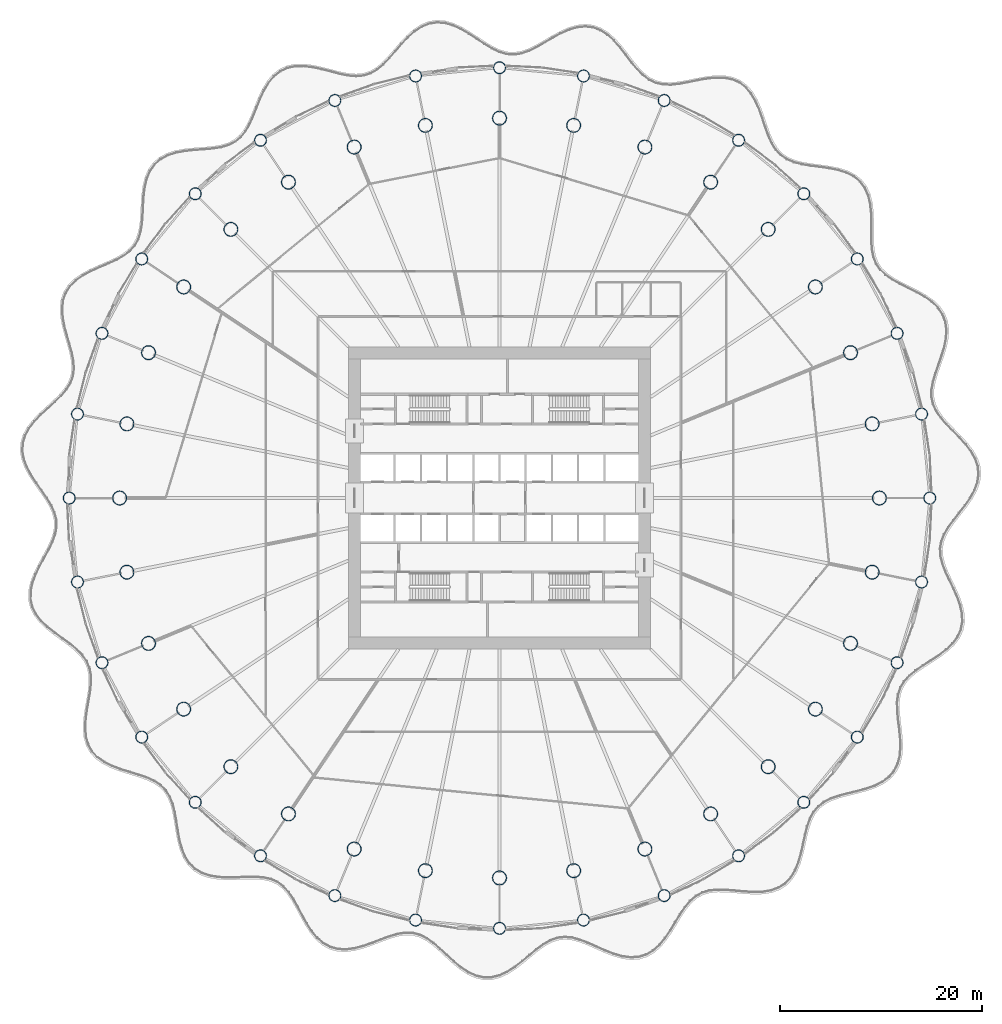
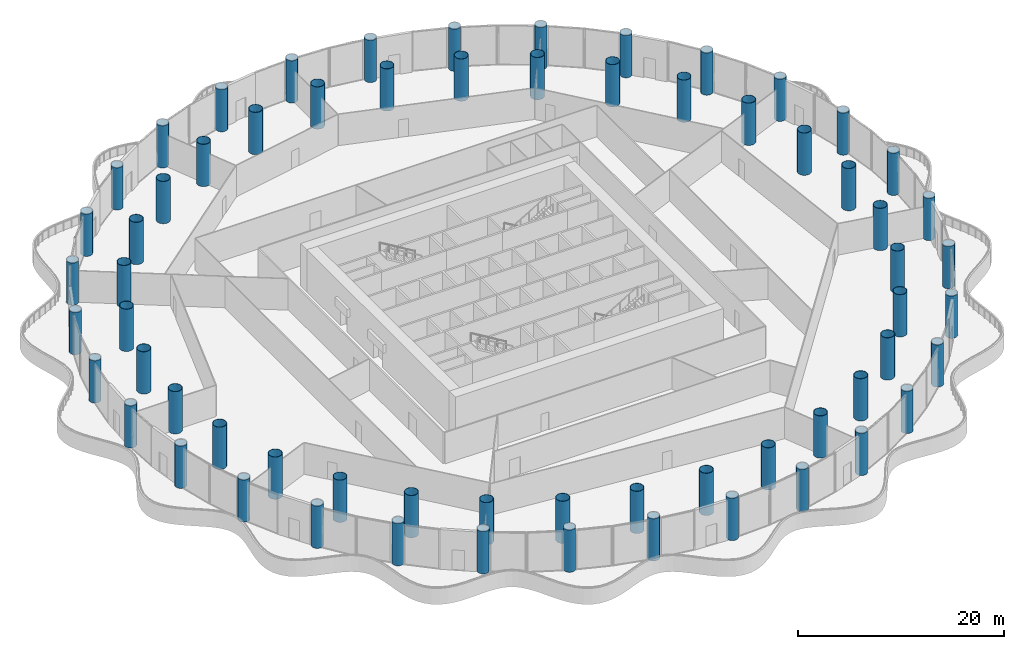
# One storey, part 1 of 38: 64 columns.
"""IFC4 building model written with IfcOpenShell, lengths in metres."""

import ifcopenshell
import ifcopenshell.guid

model = None  # the IFC model being written
_history = None  # IfcOwnerHistory: only IFC2X3 demands one
_inside = {}  # id of a spatial element -> (the spatial element, [elements in it])
_under = {}  # id of a project, library or spatial element -> (it, [spatial elements below it])
_declared = {}  # id of a project -> (the project, [libraries it declares])
_typed = {}  # id of a type object -> (the type object, [elements of that type])
_made_of = {}  # id of a material, layer set ... -> (it, [elements and type objects made of it])


def new_model(schema):
    """Start an empty IFC model of exactly this schema.

    Asked for "IFC4X3", IfcOpenShell would pick the latest addendum, in which some entities
    have other attributes; the version numbers below select the first issue.
    IFC2X3 requires an IfcOwnerHistory on every rooted entity: one is made here for all.
    """
    global model, _history
    if schema == "IFC4X3":
        model = ifcopenshell.file(schema_version=(4, 3, 0, 0))
    else:
        model = ifcopenshell.file(schema=schema)
    _inside.clear()
    _under.clear()
    _declared.clear()
    _typed.clear()
    _made_of.clear()
    _history = None
    if model.schema == "IFC2X3":
        org = make("IfcOrganization", Name="unknown")
        user = make(
            "IfcPersonAndOrganization",
            ThePerson=make("IfcPerson", FamilyName="unknown"),
            TheOrganization=org,
        )
        app = make(
            "IfcApplication",
            ApplicationDeveloper=org,
            Version="unknown",
            ApplicationFullName="unknown",
            ApplicationIdentifier="unknown",
        )
        _history = make(
            "IfcOwnerHistory",
            OwningUser=user,
            OwningApplication=app,
            ChangeAction="ADDED",
            CreationDate=0,
        )
    return model


def make(cls, **values):
    """One entity of the class cls with the attributes given. An attribute that is None is left unset."""
    return model.create_entity(
        cls, **{name: value for name, value in values.items() if value is not None}
    )


def rooted(cls, **values):
    """An entity with a GlobalId (a new one), such as an element, a storey or a relation."""
    return make(cls, GlobalId=ifcopenshell.guid.new(), OwnerHistory=_history, **values)


def si_unit(unit_type, name, prefix=None):
    """IfcSIUnit, for example si_unit("LENGTHUNIT", "METRE", prefix="MILLI")."""
    return make("IfcSIUnit", UnitType=unit_type, Prefix=prefix, Name=name)


def assignment(units):
    """IfcUnitAssignment: the units of a project."""
    return None if units is None else make("IfcUnitAssignment", Units=units)


def point(xyz):
    """IfcCartesianPoint."""
    return None if xyz is None else make("IfcCartesianPoint", Coordinates=xyz)


def direction(xyz):
    """IfcDirection."""
    return None if xyz is None else make("IfcDirection", DirectionRatios=xyz)


def frame(location, z_axis=None, x_axis=None):
    """IfcAxis2Placement3D, a coordinate frame: its origin and axes. An axis left out is left unset."""
    return make(
        "IfcAxis2Placement3D",
        Location=point(location),
        Axis=direction(z_axis),
        RefDirection=direction(x_axis),
    )


def frame_2d(location, x_axis=None):
    """IfcAxis2Placement2D, a coordinate frame in the plane: its origin and x axis."""
    return make(
        "IfcAxis2Placement2D", Location=point(location), RefDirection=direction(x_axis)
    )


def origin():
    """The frame at (0, 0, 0) with its axes left unset."""
    return frame((0.0, 0.0, 0.0))


def origin_2d():
    """The frame at (0, 0) in the plane with its x axis left unset."""
    return frame_2d((0.0, 0.0))


def place(relative_to, where):
    """IfcLocalPlacement: puts the frame where relative to a parent placement (None: the world)."""
    return make(
        "IfcLocalPlacement", PlacementRelTo=relative_to, RelativePlacement=where
    )


def context(
    kind, dimensions, precision=None, world=None, true_north=None, identifier=None
):
    """IfcGeometricRepresentationContext, for example the 3D "Model" context."""
    return make(
        "IfcGeometricRepresentationContext",
        ContextIdentifier=identifier,
        ContextType=kind,
        CoordinateSpaceDimension=dimensions,
        Precision=precision,
        WorldCoordinateSystem=world,
        TrueNorth=true_north,
    )


def subcontext(parent, identifier, kind, view, scale=None):
    """IfcGeometricRepresentationSubContext, for example "Body" below "Model"."""
    return make(
        "IfcGeometricRepresentationSubContext",
        ContextIdentifier=identifier,
        ContextType=kind,
        ParentContext=parent,
        TargetScale=scale,
        TargetView=view,
    )


def project(units=None, contexts=None):
    """IfcProject with its units and contexts."""
    return rooted(
        "IfcProject",
        Name="project",
        RepresentationContexts=contexts,
        UnitsInContext=assignment(units),
    )


def spatial(cls, under=None, at=None, **own):
    """A site, building, storey or space (cls), placed at a placement, below another one or the project."""
    s = rooted(cls, ObjectPlacement=at, **own)
    if under is not None:
        _under.setdefault(under.id(), (under, []))[1].append(s)
    return s


def profile(cls, at=None, kind="AREA", **sizes):
    """A parametric profile (cls). Its sizes go by their IFC names, for example OverallWidth=200.0."""
    return make(cls, ProfileType=kind, Position=at, **sizes)


def hollow_circle(**sizes):
    """IfcCircleHollowProfileDef."""
    return profile("IfcCircleHollowProfileDef", **sizes)


def extrude(swept, where, along, depth):
    """IfcExtrudedAreaSolid: the profile swept, set in the frame where, extruded along a direction by depth."""
    return make(
        "IfcExtrudedAreaSolid",
        SweptArea=swept,
        Position=where,
        ExtrudedDirection=direction(along),
        Depth=depth,
    )


def shape(context_of_items, identifier, shape_type, items):
    """IfcShapeRepresentation: the items that make up one representation, for example the "Body"."""
    return make(
        "IfcShapeRepresentation",
        ContextOfItems=context_of_items,
        RepresentationIdentifier=identifier,
        RepresentationType=shape_type,
        Items=items,
    )


def material(Name=None, Category=None):
    """IfcMaterial."""
    return make("IfcMaterial", Name=Name, Category=Category)


def material_profile(
    of_material, cross_section, Name=None, Category=None, Priority=None
):
    """IfcMaterialProfile: a cross section and its material."""
    return make(
        "IfcMaterialProfile",
        Name=Name,
        Material=of_material,
        Profile=cross_section,
        Priority=Priority,
        Category=Category,
    )


def profile_set(profiles, Name=None, composite=None):
    """IfcMaterialProfileSet."""
    return make(
        "IfcMaterialProfileSet",
        Name=Name,
        MaterialProfiles=profiles,
        CompositeProfile=composite,
    )


def made_of(thing, what):
    """Note that an element or type object is made of a material, layer set ...; save() writes the relation."""
    if what is not None:
        _made_of.setdefault(what.id(), (what, []))[1].append(thing)
    return thing


def type_object(cls, material=None, **own):
    """A type object (cls), such as IfcWallType, which elements share."""
    return made_of(rooted(cls, **own), material)


def element(
    cls,
    number,
    at=None,
    inside=None,
    cuts=None,
    type_object=None,
    material=None,
    context=None,
    identifier="Body",
    shape_type=None,
    held_by="IfcProductDefinitionShape",
    body=None,
    shapes=None,
    **own,
):
    """One element of the class cls, such as IfcWall. Its Tag is "e" and its number.

    at: its placement. inside: the storey or other place that contains it. cuts: it is an
    opening in that element (IfcRelVoidsElement). A single representation is given by context,
    identifier, shape_type and body (its items); several are given by shapes. held_by: the class
    of the entity that holds the representations. save() writes the other relations.
    """
    e = rooted(cls, Tag="e%d" % number, ObjectPlacement=at, **own)
    if body is not None:
        shapes = [shape(context, identifier, shape_type, body)]
    if shapes is not None:
        e.Representation = make(held_by, Representations=shapes)
    if inside is not None:
        _inside.setdefault(inside.id(), (inside, []))[1].append(e)
    if cuts is not None:
        rooted(
            "IfcRelVoidsElement", RelatingBuildingElement=cuts, RelatedOpeningElement=e
        )
    if type_object is not None:
        _typed.setdefault(type_object.id(), (type_object, []))[1].append(e)
    return made_of(e, material)


def aggregate(whole, parts):
    """IfcRelAggregates: a whole, such as a stair, and the parts it consists of."""
    return rooted("IfcRelAggregates", RelatingObject=whole, RelatedObjects=parts)


def save(model, path):
    """Write the relations noted so far, then the file.

    IfcRelAggregates (storeys below a building ...), IfcRelContainedInSpatialStructure (elements
    in a storey), IfcRelDefinesByType, IfcRelAssociatesMaterial and IfcRelDeclares: one each for
    every whole, place, type object, material and project.
    """
    for whole, parts in _under.values():
        aggregate(whole, parts)
    for where, things in _inside.values():
        rooted(
            "IfcRelContainedInSpatialStructure",
            RelatedElements=things,
            RelatingStructure=where,
        )
    for kind, things in _typed.values():
        rooted("IfcRelDefinesByType", RelatedObjects=things, RelatingType=kind)
    for what, things in _made_of.values():
        rooted("IfcRelAssociatesMaterial", RelatedObjects=things, RelatingMaterial=what)
    for by, libraries in _declared.values():
        rooted("IfcRelDeclares", RelatingContext=by, RelatedDefinitions=libraries)
    model.write(path)


model = new_model("IFC4")

# Units and contexts
model_context = context("Model", 3, precision=1e-05, world=origin(), true_north=direction((0.0, 1.0)))
body_context = subcontext(model_context, "Body", "Model", "MODEL_VIEW")
ifc_project = project(units=[si_unit("LENGTHUNIT", "METRE"), si_unit("AREAUNIT", "SQUARE_METRE"), si_unit("VOLUMEUNIT", "CUBIC_METRE"), si_unit("PLANEANGLEUNIT", "RADIAN"), si_unit("MASSUNIT", "GRAM", prefix="KILO")], contexts=[model_context])

# Site, building, storey
site_placement = place(None, origin())
site = spatial("IfcSite", under=ifc_project, at=site_placement, CompositionType="ELEMENT")
building_placement = place(site_placement, origin())
building = spatial("IfcBuilding", under=site, at=building_placement, Name="Corvane Civic Tower", CompositionType="ELEMENT")
storey_placement = place(building_placement, frame((0.0, 0.0, 32.0)))
storey = spatial("IfcBuildingStorey", under=building, at=storey_placement, Name="L06", CompositionType="ELEMENT", Elevation=32.0)

# Columns
ifc_material_1 = material(Name="Steel ASTM A572 Gr 50", Category="steel")
ifc_material_profile_1 = material_profile(ifc_material_1, hollow_circle(Radius=0.60009765625, WallThickness=0.035888671875, at=origin_2d()), Name="CHS1200X36")
ifc_profile_set_1 = profile_set([ifc_material_profile_1], Name="Steel ASTM A572 Gr 50")
column_type_1 = type_object("IfcColumnType", Name="COMPOSITE COLUMN CHS1200X36", PredefinedType="COLUMN", material=ifc_profile_set_1)
for number, where, z_axis, x_axis, name in (
    (1, (0.0, 42.699951171875, 0.0), (0.0, 0.0, 1.0), (1.0, 0.0, 0.0), "COL-L06-G01"),
    (2, (8.330322265625, 41.879638671875, 0.0), (0.0, 0.0, 1.0), (1.0, 0.0, 0.0), "COL-L06-G02"),
    (3, (16.340576171875, 39.44970703125, 0.0), (0.0, 0.0, 1.0), (1.0, 0.0, 0.0), "COL-L06-G03"),
    (4, (23.722900390625, 35.503662109375, 0.0), (0.0, 0.0, 1.0), (1.0, 0.0, 0.0), "COL-L06-G04"),
    (5, (30.193359375, 30.193359375, 0.0), (0.0, 0.0, 1.0), (1.0, 0.0, 0.0), "COL-L06-G05"),
    (6, (35.503662109375, 23.722900390625, 0.0), (0.0, 0.0, 1.0), (1.0, 0.0, 0.0), "COL-L06-G06"),
    (7, (39.44970703125, 16.340576171875, 0.0), (0.0, 0.0, 1.0), (1.0, 0.0, 0.0), "COL-L06-G07"),
    (8, (41.879638671875, 8.330322265625, 0.0), (0.0, 0.0, 1.0), (1.0, 0.0, 0.0), "COL-L06-G08"),
    (9, (42.699951171875, 0.0, 0.0), (0.0, 0.0, 1.0), (1.0, 0.0, 0.0), "COL-L06-G09"),
    (10, (41.879638671875, -8.330322265625, 0.0), (0.0, 0.0, 1.0), (1.0, 0.0, 0.0), "COL-L06-G10"),
    (11, (39.44970703125, -16.340576171875, 0.0), (0.0, 0.0, 1.0), (1.0, 0.0, 0.0), "COL-L06-G11"),
    (12, (35.503662109375, -23.722900390625, 0.0), (0.0, 0.0, 1.0), (1.0, 0.0, 0.0), "COL-L06-G12"),
    (13, (30.193359375, -30.193359375, 0.0), (0.0, 0.0, 1.0), (1.0, 0.0, 0.0), "COL-L06-G13"),
    (14, (23.722900390625, -35.503662109375, 0.0), (0.0, 0.0, 1.0), (1.0, 0.0, 0.0), "COL-L06-G14"),
    (15, (16.340576171875, -39.44970703125, 0.0), (0.0, 0.0, 1.0), (1.0, 0.0, 0.0), "COL-L06-G15"),
    (16, (8.330322265625, -41.879638671875, 0.0), (0.0, 0.0, 1.0), (1.0, 0.0, 0.0), "COL-L06-G16"),
    (17, (0.0, -42.699951171875, 0.0), (0.0, 0.0, 1.0), (1.0, 0.0, 0.0), "COL-L06-G17"),
    (18, (-8.330322265625, -41.879638671875, 0.0), (0.0, 0.0, 1.0), (1.0, 0.0, 0.0), "COL-L06-G18"),
    (19, (-16.340576171875, -39.44970703125, 0.0), (0.0, 0.0, 1.0), (1.0, 0.0, 0.0), "COL-L06-G19"),
    (20, (-23.722900390625, -35.503662109375, 0.0), (0.0, 0.0, 1.0), (1.0, 0.0, 0.0), "COL-L06-G20"),
    (21, (-30.193359375, -30.193359375, 0.0), (0.0, 0.0, 1.0), (1.0, 0.0, 0.0), "COL-L06-G21"),
    (22, (-35.503662109375, -23.722900390625, 0.0), (0.0, 0.0, 1.0), (1.0, 0.0, 0.0), "COL-L06-G22"),
    (23, (-39.44970703125, -16.340576171875, 0.0), (0.0, 0.0, 1.0), (1.0, 0.0, 0.0), "COL-L06-G23"),
    (24, (-41.879638671875, -8.330322265625, 0.0), (0.0, 0.0, 1.0), (1.0, 0.0, 0.0), "COL-L06-G24"),
    (25, (-42.699951171875, 0.0, 0.0), (0.0, 0.0, 1.0), (1.0, 0.0, 0.0), "COL-L06-G25"),
    (26, (-41.879638671875, 8.330322265625, 0.0), (0.0, 0.0, 1.0), (1.0, 0.0, 0.0), "COL-L06-G26"),
    (27, (-39.44970703125, 16.340576171875, 0.0), (0.0, 0.0, 1.0), (1.0, 0.0, 0.0), "COL-L06-G27"),
    (28, (-35.503662109375, 23.722900390625, 0.0), (0.0, 0.0, 1.0), (1.0, 0.0, 0.0), "COL-L06-G28"),
    (29, (-30.193359375, 30.193359375, 0.0), (0.0, 0.0, 1.0), (1.0, 0.0, 0.0), "COL-L06-G29"),
    (30, (-23.722900390625, 35.503662109375, 0.0), (0.0, 0.0, 1.0), (1.0, 0.0, 0.0), "COL-L06-G30"),
    (31, (-16.340576171875, 39.44970703125, 0.0), (0.0, 0.0, 1.0), (1.0, 0.0, 0.0), "COL-L06-G31"),
    (32, (-8.330322265625, 41.879638671875, 0.0), (0.0, 0.0, 1.0), (1.0, 0.0, 0.0), "COL-L06-G32"),
):
    element("IfcColumn", number, at=place(storey_placement, frame(where, z_axis=z_axis, x_axis=x_axis)), inside=storey, type_object=column_type_1, Name=name, PredefinedType="COLUMN", context=body_context, shape_type="SweptSolid", body=[
        extrude(hollow_circle(Radius=0.60009765625, WallThickness=0.035888671875, at=origin_2d()), origin(), (0.0, 0.0, 1.0), 5.0),
    ])
ifc_material_2 = material(Name="Steel ASTM A572 Gr 50", Category="steel")
ifc_material_profile_2 = material_profile(ifc_material_2, hollow_circle(Radius=0.699951171875, WallThickness=0.0400390625, at=origin_2d()), Name="CHS1400X40")
ifc_profile_set_2 = profile_set([ifc_material_profile_2], Name="Steel ASTM A572 Gr 50")
column_type_2 = type_object("IfcColumnType", Name="COMPOSITE COLUMN CHS1400X40", PredefinedType="COLUMN", material=ifc_profile_set_2)
for number, where, z_axis, x_axis, name in (
    (33, (0.0, 37.699951171875, 0.0), (0.0, 0.0, 1.0), (1.0, 0.0, 0.0), "COL-L06-A01"),
    (34, (7.35498046875, 36.9755859375, 0.0), (0.0, 0.0, 1.0), (1.0, 0.0, 0.0), "COL-L06-A02"),
    (35, (14.42724609375, 34.830322265625, 0.0), (0.0, 0.0, 1.0), (1.0, 0.0, 0.0), "COL-L06-A03"),
    (36, (20.945068359375, 31.346435546875, 0.0), (0.0, 0.0, 1.0), (1.0, 0.0, 0.0), "COL-L06-A04"),
    (37, (26.657958984375, 26.657958984375, 0.0), (0.0, 0.0, 1.0), (1.0, 0.0, 0.0), "COL-L06-A05"),
    (38, (31.346435546875, 20.945068359375, 0.0), (0.0, 0.0, 1.0), (1.0, 0.0, 0.0), "COL-L06-A06"),
    (39, (34.830322265625, 14.42724609375, 0.0), (0.0, 0.0, 1.0), (1.0, 0.0, 0.0), "COL-L06-A07"),
    (40, (36.9755859375, 7.35498046875, 0.0), (0.0, 0.0, 1.0), (1.0, 0.0, 0.0), "COL-L06-A08"),
    (41, (37.699951171875, 0.0, 0.0), (0.0, 0.0, 1.0), (1.0, 0.0, 0.0), "COL-L06-A09"),
    (42, (36.9755859375, -7.35498046875, 0.0), (0.0, 0.0, 1.0), (1.0, 0.0, 0.0), "COL-L06-A10"),
    (43, (34.830322265625, -14.42724609375, 0.0), (0.0, 0.0, 1.0), (1.0, 0.0, 0.0), "COL-L06-A11"),
    (44, (31.346435546875, -20.945068359375, 0.0), (0.0, 0.0, 1.0), (1.0, 0.0, 0.0), "COL-L06-A12"),
    (45, (26.657958984375, -26.657958984375, 0.0), (0.0, 0.0, 1.0), (1.0, 0.0, 0.0), "COL-L06-A13"),
    (46, (20.945068359375, -31.346435546875, 0.0), (0.0, 0.0, 1.0), (1.0, 0.0, 0.0), "COL-L06-A14"),
    (47, (14.42724609375, -34.830322265625, 0.0), (0.0, 0.0, 1.0), (1.0, 0.0, 0.0), "COL-L06-A15"),
    (48, (7.35498046875, -36.9755859375, 0.0), (0.0, 0.0, 1.0), (1.0, 0.0, 0.0), "COL-L06-A16"),
    (49, (0.0, -37.699951171875, 0.0), (0.0, 0.0, 1.0), (1.0, 0.0, 0.0), "COL-L06-A17"),
    (50, (-7.35498046875, -36.9755859375, 0.0), (0.0, 0.0, 1.0), (1.0, 0.0, 0.0), "COL-L06-A18"),
    (51, (-14.42724609375, -34.830322265625, 0.0), (0.0, 0.0, 1.0), (1.0, 0.0, 0.0), "COL-L06-A19"),
    (52, (-20.945068359375, -31.346435546875, 0.0), (0.0, 0.0, 1.0), (1.0, 0.0, 0.0), "COL-L06-A20"),
    (53, (-26.657958984375, -26.657958984375, 0.0), (0.0, 0.0, 1.0), (1.0, 0.0, 0.0), "COL-L06-A21"),
    (54, (-31.346435546875, -20.945068359375, 0.0), (0.0, 0.0, 1.0), (1.0, 0.0, 0.0), "COL-L06-A22"),
    (55, (-34.830322265625, -14.42724609375, 0.0), (0.0, 0.0, 1.0), (1.0, 0.0, 0.0), "COL-L06-A23"),
    (56, (-36.9755859375, -7.35498046875, 0.0), (0.0, 0.0, 1.0), (1.0, 0.0, 0.0), "COL-L06-A24"),
    (57, (-37.699951171875, 0.0, 0.0), (0.0, 0.0, 1.0), (1.0, 0.0, 0.0), "COL-L06-A25"),
    (58, (-36.9755859375, 7.35498046875, 0.0), (0.0, 0.0, 1.0), (1.0, 0.0, 0.0), "COL-L06-A26"),
    (59, (-34.830322265625, 14.42724609375, 0.0), (0.0, 0.0, 1.0), (1.0, 0.0, 0.0), "COL-L06-A27"),
    (60, (-31.346435546875, 20.945068359375, 0.0), (0.0, 0.0, 1.0), (1.0, 0.0, 0.0), "COL-L06-A28"),
    (61, (-26.657958984375, 26.657958984375, 0.0), (0.0, 0.0, 1.0), (1.0, 0.0, 0.0), "COL-L06-A29"),
    (62, (-20.945068359375, 31.346435546875, 0.0), (0.0, 0.0, 1.0), (1.0, 0.0, 0.0), "COL-L06-A30"),
    (63, (-14.42724609375, 34.830322265625, 0.0), (0.0, 0.0, 1.0), (1.0, 0.0, 0.0), "COL-L06-A31"),
    (64, (-7.35498046875, 36.9755859375, 0.0), (0.0, 0.0, 1.0), (1.0, 0.0, 0.0), "COL-L06-A32"),
):
    element("IfcColumn", number, at=place(storey_placement, frame(where, z_axis=z_axis, x_axis=x_axis)), inside=storey, type_object=column_type_2, Name=name, PredefinedType="COLUMN", context=body_context, shape_type="SweptSolid", body=[
        extrude(hollow_circle(Radius=0.699951171875, WallThickness=0.0400390625, at=origin_2d()), origin(), (0.0, 0.0, 1.0), 5.0),
    ])

save(model, "model.ifc")
